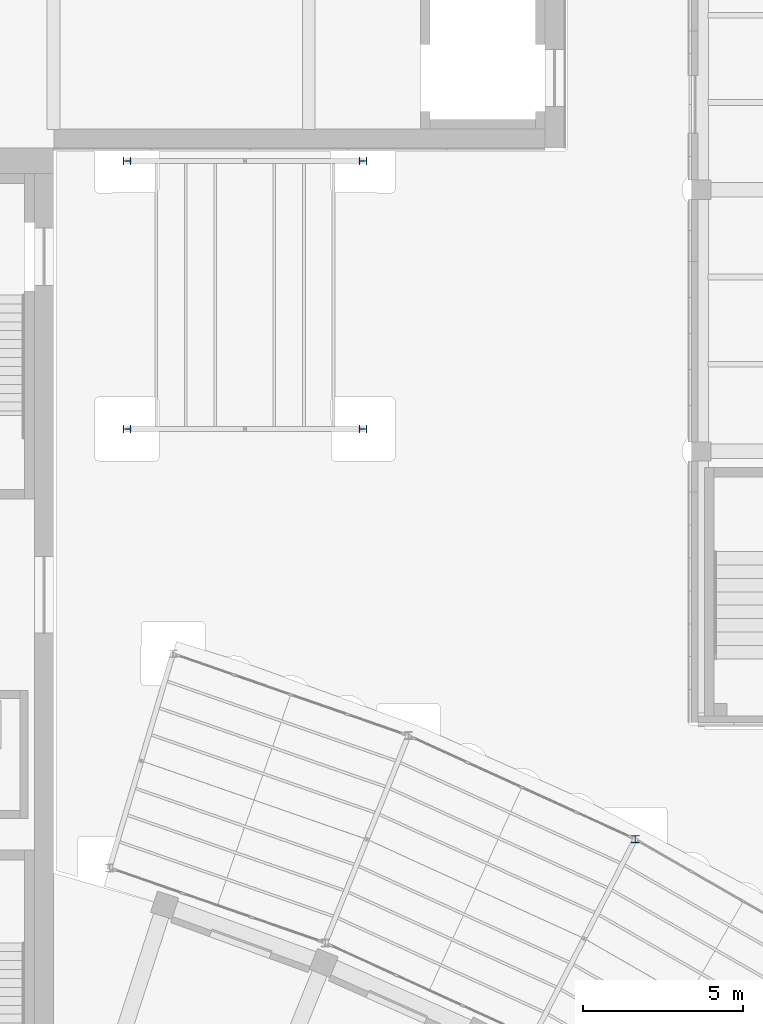
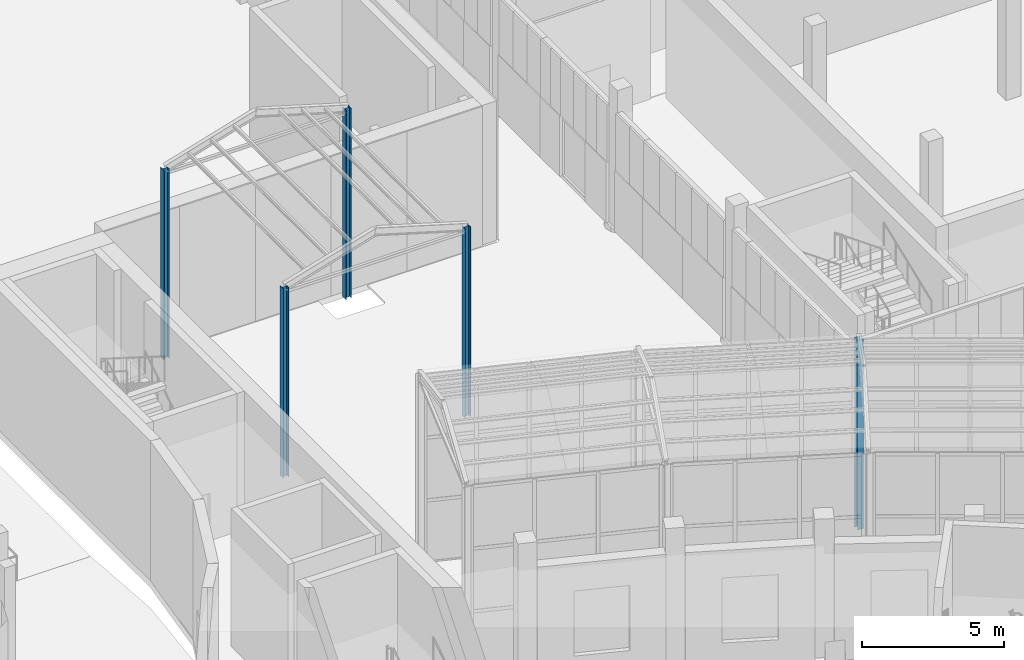
# One storey, part 15 of 155: 5 columns.
"""IFC4 building model written with IfcOpenShell, lengths in metres."""

from ifc_helpers import new_model, si_unit, direction, frame, origin, origin_2d, place, context, subcontext, project, spatial, i_section, extrude, material, material_profile, profile_set, type_object, element, save


model = new_model("IFC4")

# Units and contexts
model_context = context("Model", 3, precision=1e-05, world=origin(), true_north=direction((0.0, 1.0)))
body_context = subcontext(model_context, "Body", "Model", "MODEL_VIEW")
ifc_project = project(units=[si_unit("LENGTHUNIT", "METRE"), si_unit("AREAUNIT", "SQUARE_METRE"), si_unit("VOLUMEUNIT", "CUBIC_METRE"), si_unit("PLANEANGLEUNIT", "RADIAN"), si_unit("MASSUNIT", "GRAM", prefix="KILO")], contexts=[model_context])

# Site, building, storey
site_placement = place(None, origin())
site = spatial("IfcSite", under=ifc_project, at=site_placement, CompositionType="ELEMENT")
building_placement = place(site_placement, origin())
building = spatial("IfcBuilding", under=site, at=building_placement, Name="Lunette Opera House", CompositionType="ELEMENT")
storey_placement = place(building_placement, origin())
storey = spatial("IfcBuildingStorey", under=building, at=storey_placement, Name="L00", CompositionType="ELEMENT", Elevation=0.0)

# Columns
ifc_material = material(Name="Steel S355", Category="steel")
ifc_material_profile = material_profile(ifc_material, i_section(OverallWidth=0.239990234375, OverallDepth=0.22998046875, WebThickness=0.007568359375, FlangeThickness=0.011962890625, FilletRadius=0.02099609375, at=origin_2d()), Name="HEA 240")
ifc_profile_set = profile_set([ifc_material_profile], Name="Steel S355")
column_type = type_object("IfcColumnType", Name="STEEL COLUMN HEA 240", PredefinedType="COLUMN", material=ifc_profile_set)
for number, where, z_axis, x_axis, name in (
    (1, (134.23193359375, 74.345947265625, 0.0), (0.0, 0.0, 1.0), (1.0, 0.0, 0.0), "col-PP-L00-PC-EO03"),
    (2, (118.300048828125, 87.199951171875, 0.0), (0.0, 0.0, 1.0), (0.0, 1.0, 0.0), "col-PP-L00-FLE3A"),
    (3, (125.699951171875, 87.199951171875, 0.0), (0.0, 0.0, 1.0), (0.0, 1.0, 0.0), "col-PP-L00-FLE3B"),
    (4, (118.300048828125, 95.60009765625, 0.0), (0.0, 0.0, 1.0), (0.0, 1.0, 0.0), "col-PP-L00-FLE4A"),
    (5, (125.699951171875, 95.60009765625, 0.0), (0.0, 0.0, 1.0), (0.0, 1.0, 0.0), "col-PP-L00-FLE4B"),
):
    element("IfcColumn", number, at=place(storey_placement, frame(where, z_axis=z_axis, x_axis=x_axis)), inside=storey, type_object=column_type, Name=name, PredefinedType="COLUMN", context=body_context, shape_type="SweptSolid", body=[
        extrude(i_section(OverallWidth=0.239990234375, OverallDepth=0.22998046875, WebThickness=0.007568359375, FlangeThickness=0.011962890625, FilletRadius=0.02099609375, at=origin_2d()), origin(), (0.0, 0.0, 1.0), 8.14990234375),
    ])

save(model, "model.ifc")
